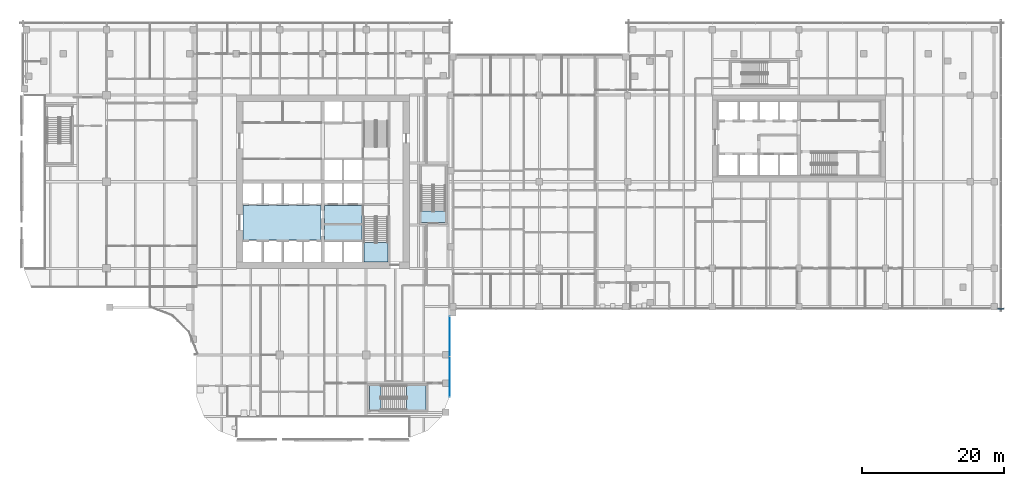
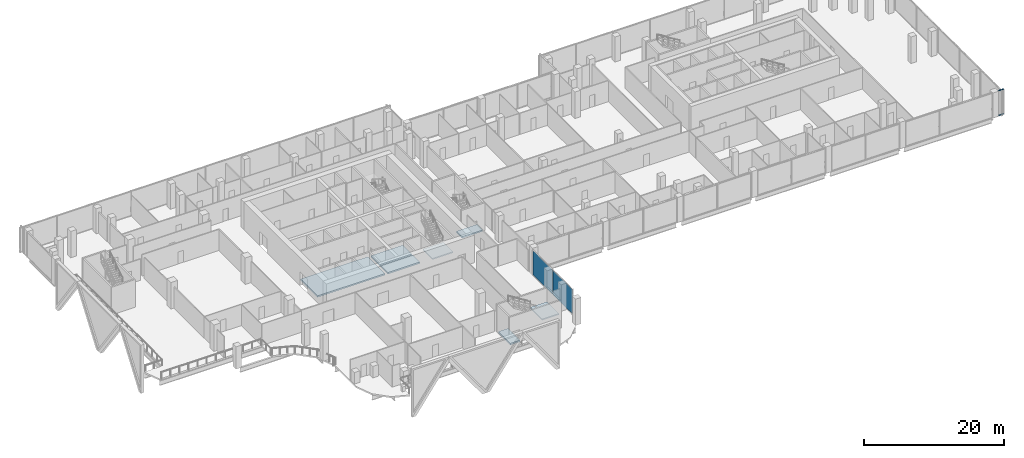
# One storey, part 17 of 33: 7 slabs, 2 members, 2 plates, 4 elements without a shape of their own.
"""IFC4 building model written with IfcOpenShell, lengths in metres."""

from ifc_helpers import new_model, si_unit, direction, frame, origin, origin_2d, place, context, subcontext, project, spatial, polyline, rectangle, outline, extrude, material, layer, layer_set, material_profile, profile_set, type_object, element, aggregate, save


model = new_model("IFC4")

# Units and contexts
model_context = context("Model", 3, precision=1e-05, world=origin(), true_north=direction((0.0, 1.0)))
body_context = subcontext(model_context, "Body", "Model", "MODEL_VIEW")
ifc_project = project(units=[si_unit("LENGTHUNIT", "METRE"), si_unit("AREAUNIT", "SQUARE_METRE"), si_unit("VOLUMEUNIT", "CUBIC_METRE"), si_unit("PLANEANGLEUNIT", "RADIAN"), si_unit("MASSUNIT", "GRAM", prefix="KILO")], contexts=[model_context])

# Site, building, storey
site_placement = place(None, origin())
site = spatial("IfcSite", under=ifc_project, at=site_placement, CompositionType="ELEMENT")
building_placement = place(site_placement, origin())
building = spatial("IfcBuilding", under=site, at=building_placement, Name="Tessera Gate Towers", CompositionType="ELEMENT")
storey_placement = place(building_placement, frame((0.0, 0.0, 12.0)))
storey = spatial("IfcBuildingStorey", under=building, at=storey_placement, Name="L02", CompositionType="ELEMENT", Elevation=12.0)

# Curtain wall, members
ifc_material_1 = material(Name="Aluminium frame", Category="aluminium")
curtain_wall_type = type_object("IfcCurtainWallType", Name="CW-S1 podium storefront", PredefinedType="NOTDEFINED", material=ifc_material_1)
curtain_wall_1_placement = place(storey_placement, origin())
curtain_wall_1 = element("IfcCurtainWall", 1, at=curtain_wall_1_placement, inside=storey, type_object=curtain_wall_type, Name="Curtain wall podium storefront 0174", PredefinedType="NOTDEFINED")
ifc_material_2 = material(Name="Aluminium frame", Category="aluminium")
ifc_material_profile = material_profile(ifc_material_2, rectangle(XDim=0.14990234375, YDim=0.06005859375, at=origin_2d()), Name="AL 60x150")
ifc_profile_set = profile_set([ifc_material_profile], Name="Aluminium frame")
member_type = type_object("IfcMemberType", Name="TR-S1 transom 60x150", PredefinedType="USERDEFINED", material=ifc_profile_set)
member_1_placement = place(storey_placement, frame((137.840087890625, 18.72509765625, 0.030029296875), z_axis=(1.0, 0.0, 0.0), x_axis=(0.0, 1.0, 0.0)))
member_1 = element("IfcMember", 2, at=member_1_placement, type_object=member_type, Name="PD-CW1-0174 transom 1.1", ObjectType="TRANSOM", PredefinedType="USERDEFINED", context=body_context, shape_type="SweptSolid", body=[
    extrude(rectangle(XDim=0.14990234375, YDim=0.06005859375, at=origin_2d()), origin(), (0.0, 0.0, 1.0), 0.7998046875),
])
member_2_placement = place(storey_placement, frame((137.840087890625, 18.72509765625, 4.320068359375), z_axis=(1.0, 0.0, 0.0), x_axis=(0.0, 1.0, 0.0)))
member_2 = element("IfcMember", 3, at=member_2_placement, type_object=member_type, Name="PD-CW1-0174 transom 1.2", ObjectType="TRANSOM", PredefinedType="USERDEFINED", context=body_context, shape_type="SweptSolid", body=[
    extrude(rectangle(XDim=0.14990234375, YDim=0.06005859375, at=origin_2d()), origin(), (0.0, 0.0, 1.0), 0.7998046875),
])
aggregate(curtain_wall_1, [member_1, member_2])

# Slabs
ifc_material_3 = material(Name="Concrete C35/45", Category="concrete")
ifc_layer_1 = layer(ifc_material_3, 0.25)
ifc_layer_set_1 = layer_set([ifc_layer_1], Name="CORE FLOOR SLAB 250")
slab_type_1 = type_object("IfcSlabType", Name="CORE FLOOR SLAB 250", PredefinedType="FLOOR", material=ifc_layer_set_1)
slab_1_placement = place(storey_placement, frame((0.0, 0.0, -0.25)))
element("IfcSlab", 4, at=slab_1_placement, inside=storey, type_object=slab_type_1, Name="L02 core floor slab", PredefinedType="FLOOR", context=body_context, shape_type="SweptSolid", body=[
    extrude(outline(polyline([(42.449951171875, 28.425048828125), (42.449951171875, 33.27490234375), (31.39990234375, 33.27490234375), (31.39990234375, 28.425048828125), (42.449951171875, 28.425048828125)])), origin(), (0.0, 0.0, 1.0), 0.25),
])
slab_2_placement = place(storey_placement, frame((0.0, 0.0, -0.25)))
element("IfcSlab", 5, at=slab_2_placement, inside=storey, type_object=slab_type_1, Name="L02 core floor slab", PredefinedType="FLOOR", context=body_context, shape_type="SweptSolid", body=[
    extrude(outline(polyline([(42.949951171875, 33.27490234375), (42.949951171875, 30.72509765625), (48.22509765625, 30.72509765625), (48.22509765625, 33.27490234375), (42.949951171875, 33.27490234375)])), origin(), (0.0, 0.0, 1.0), 0.25),
])
slab_3_placement = place(storey_placement, frame((0.0, 0.0, -0.25)))
element("IfcSlab", 6, at=slab_3_placement, inside=storey, type_object=slab_type_1, Name="L02 core floor slab", PredefinedType="FLOOR", context=body_context, shape_type="SweptSolid", body=[
    extrude(outline(polyline([(42.949951171875, 30.47509765625), (42.949951171875, 28.425048828125), (48.22509765625, 28.425048828125), (48.22509765625, 30.47509765625), (42.949951171875, 30.47509765625)])), origin(), (0.0, 0.0, 1.0), 0.25),
])
slab_4_placement = place(storey_placement, frame((0.0, 0.0, -0.25)))
element("IfcSlab", 7, at=slab_4_placement, inside=storey, type_object=slab_type_1, Name="L02 ST4 floor landing", PredefinedType="FLOOR", context=body_context, shape_type="SweptSolid", body=[
    extrude(outline(polyline([(49.25, 4.449951171875), (50.85009765625, 4.449951171875), (50.85009765625, 7.85009765625), (49.25, 7.85009765625), (49.25, 4.449951171875)])), origin(), (0.0, 0.0, 1.0), 0.25),
])
slab_5_placement = place(storey_placement, frame((0.0, 0.0, -0.25)))
element("IfcSlab", 8, at=slab_5_placement, inside=storey, type_object=slab_type_1, Name="L02 ST5 floor landing", PredefinedType="FLOOR", context=body_context, shape_type="SweptSolid", body=[
    extrude(outline(polyline([(59.949951171875, 30.85009765625), (59.949951171875, 32.449951171875), (56.550048828125, 32.449951171875), (56.550048828125, 30.85009765625), (59.949951171875, 30.85009765625)])), origin(), (0.0, 0.0, 1.0), 0.25),
])

# Stair, slab
ifc_material_4 = material(Name="Concrete C40/50", Category="concrete")
stair_type_1 = type_object("IfcStairType", Name="EXIT STAIR ST1A 1600", PredefinedType="HALF_TURN_STAIR", material=ifc_material_4)
stair_1_placement = place(storey_placement, origin())
stair_1 = element("IfcStair", 9, at=stair_1_placement, inside=storey, type_object=stair_type_1, Name="L02 Protected Exit Stair ST1", PredefinedType="HALF_TURN_STAIR")
ifc_material_5 = material(Name="Concrete C40/50", Category="concrete")
ifc_layer_2 = layer(ifc_material_5, 0.199951171875)
ifc_layer_set_2 = layer_set([ifc_layer_2], Name="EXIT STAIR LANDING 200")
slab_type_2 = type_object("IfcSlabType", Name="EXIT STAIR LANDING 200", PredefinedType="LANDING", material=ifc_layer_set_2)
slab_6_placement = place(storey_placement, frame((0.0, 0.0, 2.199951171875)))
slab_6 = element("IfcSlab", 10, at=slab_6_placement, type_object=slab_type_2, Name="ST1 landing 1", PredefinedType="LANDING", context=body_context, shape_type="SweptSolid", body=[
    extrude(outline(polyline([(48.47509765625, 28.034912109375), (48.47509765625, 25.300048828125), (51.875, 25.300048828125), (51.875, 28.034912109375), (48.47509765625, 28.034912109375)])), origin(), (0.0, 0.0, 1.0), 0.199951171875),
])
aggregate(stair_1, [slab_6])

ifc_material_6 = material(Name="Concrete C40/50", Category="concrete")
stair_type_2 = type_object("IfcStairType", Name="EXIT STAIR ST4A 1600", PredefinedType="HALF_TURN_STAIR", material=ifc_material_6)
stair_2_placement = place(storey_placement, origin())
stair_2 = element("IfcStair", 11, at=stair_2_placement, inside=storey, type_object=stair_type_2, Name="L02 South Exit Stair ST4", PredefinedType="HALF_TURN_STAIR")
slab_7_placement = place(storey_placement, frame((0.0, 0.0, 2.199951171875)))
slab_7 = element("IfcSlab", 12, at=slab_7_placement, type_object=slab_type_2, Name="ST4 landing 1", PredefinedType="LANDING", context=body_context, shape_type="SweptSolid", body=[
    extrude(outline(polyline([(54.489990234375, 4.449951171875), (57.25, 4.449951171875), (57.25, 7.85009765625), (54.489990234375, 7.85009765625), (54.489990234375, 4.449951171875)])), origin(), (0.0, 0.0, 1.0), 0.199951171875),
])
aggregate(stair_2, [slab_7])

# Curtain wall, plates
curtain_wall_2_placement = place(storey_placement, origin())
curtain_wall_2 = element("IfcCurtainWall", 13, at=curtain_wall_2_placement, inside=storey, type_object=curtain_wall_type, Name="Curtain wall podium storefront 0149", PredefinedType="NOTDEFINED")
ifc_material_7 = material(Name="Low-e laminated glass", Category="glass")
ifc_layer_3 = layer(ifc_material_7, 0.028076171875)
ifc_layer_set_3 = layer_set([ifc_layer_3], Name="PN-S1 glass panel 28")
plate_type = type_object("IfcPlateType", Name="PN-S1 glass panel 28", PredefinedType="CURTAIN_PANEL", material=ifc_layer_set_3)
plate_1_placement = place(storey_placement, frame((60.574951171875, 9.119873046875, 0.06005859375), z_axis=(0.0, 0.0, 1.0), x_axis=(0.0, 1.0, 0.0)))
plate_1 = element("IfcPlate", 14, at=plate_1_placement, type_object=plate_type, Name="PD-CW1-0149 panel 1.1", PredefinedType="CURTAIN_PANEL", context=body_context, shape_type="SweptSolid", body=[
    extrude(rectangle(XDim=5.586669921875, YDim=0.028076171875, at=origin_2d()), origin(), (0.0, 0.0, 1.0), 4.22998046875),
])
plate_2_placement = place(storey_placement, frame((60.574951171875, 14.7666015625, 0.06005859375), z_axis=(0.0, 0.0, 1.0), x_axis=(0.0, 1.0, 0.0)))
plate_2 = element("IfcPlate", 15, at=plate_2_placement, type_object=plate_type, Name="PD-CW1-0149 panel 2.1", PredefinedType="CURTAIN_PANEL", context=body_context, shape_type="SweptSolid", body=[
    extrude(rectangle(XDim=5.586669921875, YDim=0.028076171875, at=origin_2d()), origin(), (0.0, 0.0, 1.0), 4.22998046875),
])
aggregate(curtain_wall_2, [plate_1, plate_2])

save(model, "model.ifc")
